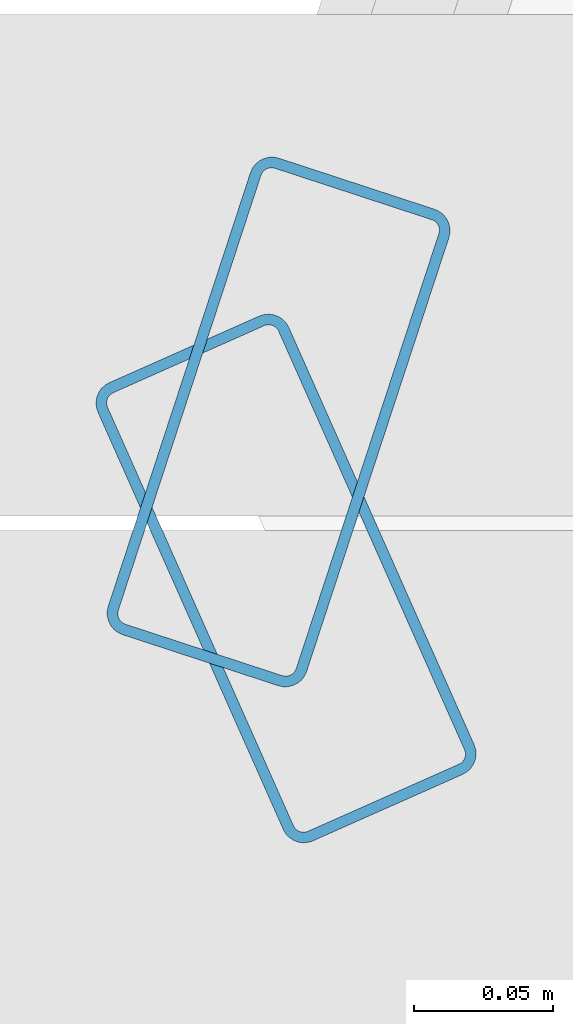
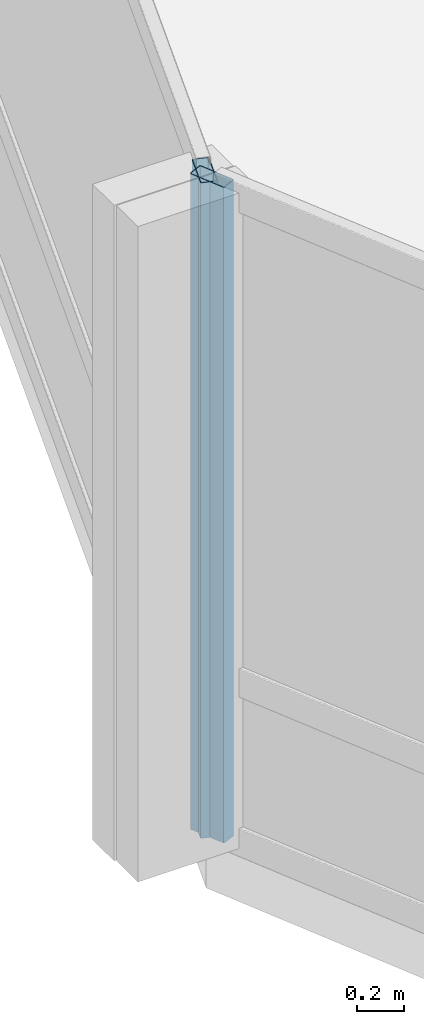
# One storey, part 6 of 34: 2 members, 2 elements without a shape of their own.
"""IFC4 building model written with IfcOpenShell, lengths in metres."""

from ifc_helpers import new_model, si_unit, direction, frame, origin, origin_2d, place, context, subcontext, project, spatial, hollow_rectangle, extrude, material, layer, layer_set, material_profile, profile_set, type_object, element, aggregate, save


model = new_model("IFC4")

# Units and contexts
model_context = context("Model", 3, precision=1e-05, world=origin(), true_north=direction((0.0, 1.0)))
body_context = subcontext(model_context, "Body", "Model", "MODEL_VIEW")
ifc_project = project(units=[si_unit("LENGTHUNIT", "METRE"), si_unit("AREAUNIT", "SQUARE_METRE"), si_unit("VOLUMEUNIT", "CUBIC_METRE"), si_unit("PLANEANGLEUNIT", "RADIAN"), si_unit("MASSUNIT", "GRAM", prefix="KILO")], contexts=[model_context])

# Site, building, storey
site_placement = place(None, origin())
site = spatial("IfcSite", under=ifc_project, at=site_placement, CompositionType="ELEMENT")
building_placement = place(site_placement, origin())
building = spatial("IfcBuilding", under=site, at=building_placement, Name="Solvaryn Broadcast Tower", CompositionType="ELEMENT")
storey_placement = place(building_placement, frame((0.0, 0.0, 96.5)))
storey = spatial("IfcBuildingStorey", under=building, at=storey_placement, Name="L23", CompositionType="ELEMENT", Elevation=96.5)

# Curtain wall, member
ifc_material_1 = material(Name="Aluminium and Terracotta Unitised Curtain Wall", Category="masonry")
ifc_layer = layer(ifc_material_1, 0.199951171875)
ifc_layer_set = layer_set([ifc_layer], Name="CW-SYS2-LOWMID")
curtain_wall_type = type_object("IfcCurtainWallType", Name="CW-SYS2-LOWMID", PredefinedType="NOTDEFINED", material=ifc_layer_set)
curtain_wall_1_placement = place(storey_placement, origin())
curtain_wall_1 = element("IfcCurtainWall", 1, at=curtain_wall_1_placement, inside=storey, type_object=curtain_wall_type, Name="L23 Curtain Wall DR1", PredefinedType="NOTDEFINED")
ifc_material_2 = material(Name="Anodised Aluminium 6063-T6", Category="aluminium")
ifc_material_profile = material_profile(ifc_material_2, hollow_rectangle(XDim=0.074951171875, YDim=0.179931640625, WallThickness=0.00390625, InnerFilletRadius=0.00390625, OuterFilletRadius=0.008056640625, at=origin_2d()))
ifc_profile_set = profile_set([ifc_material_profile], Name="Anodised Aluminium 6063-T6")
member_type = type_object("IfcMemberType", Name="CW-MUL-180", PredefinedType="MULLION", material=ifc_profile_set)
member_1_placement = place(storey_placement, frame((-0.45458984375, 26.588623046875, 0.0), z_axis=(0.0, 0.0, 1.0), x_axis=(0.950215318429, -0.311594044587, 0.0)))
member_1 = element("IfcMember", 2, at=member_1_placement, type_object=member_type, Name="CWS2 mullion 2", PredefinedType="MULLION", context=body_context, shape_type="SweptSolid", body=[
    extrude(hollow_rectangle(XDim=0.074951171875, YDim=0.179931640625, WallThickness=0.00390625, InnerFilletRadius=0.00390625, OuterFilletRadius=0.008056640625, at=origin_2d()), origin(), (0.0, 0.0, 1.0), 3.3701171875),
])
aggregate(curtain_wall_1, [member_1])

curtain_wall_2_placement = place(storey_placement, origin())
curtain_wall_2 = element("IfcCurtainWall", 3, at=curtain_wall_2_placement, inside=storey, type_object=curtain_wall_type, Name="L23 Curtain Wall DR2", PredefinedType="NOTDEFINED")
member_2_placement = place(storey_placement, frame((-0.451904296875, 26.532470703125, 0.0), z_axis=(0.0, 0.0, 1.0), x_axis=(0.913918257271, 0.405898286554, 0.0)))
member_2 = element("IfcMember", 4, at=member_2_placement, type_object=member_type, Name="CWS2 mullion 1", PredefinedType="MULLION", context=body_context, shape_type="SweptSolid", body=[
    extrude(hollow_rectangle(XDim=0.074951171875, YDim=0.179931640625, WallThickness=0.00390625, InnerFilletRadius=0.00390625, OuterFilletRadius=0.008056640625, at=origin_2d()), origin(), (0.0, 0.0, 1.0), 3.3701171875),
])
aggregate(curtain_wall_2, [member_2])

save(model, "model.ifc")
